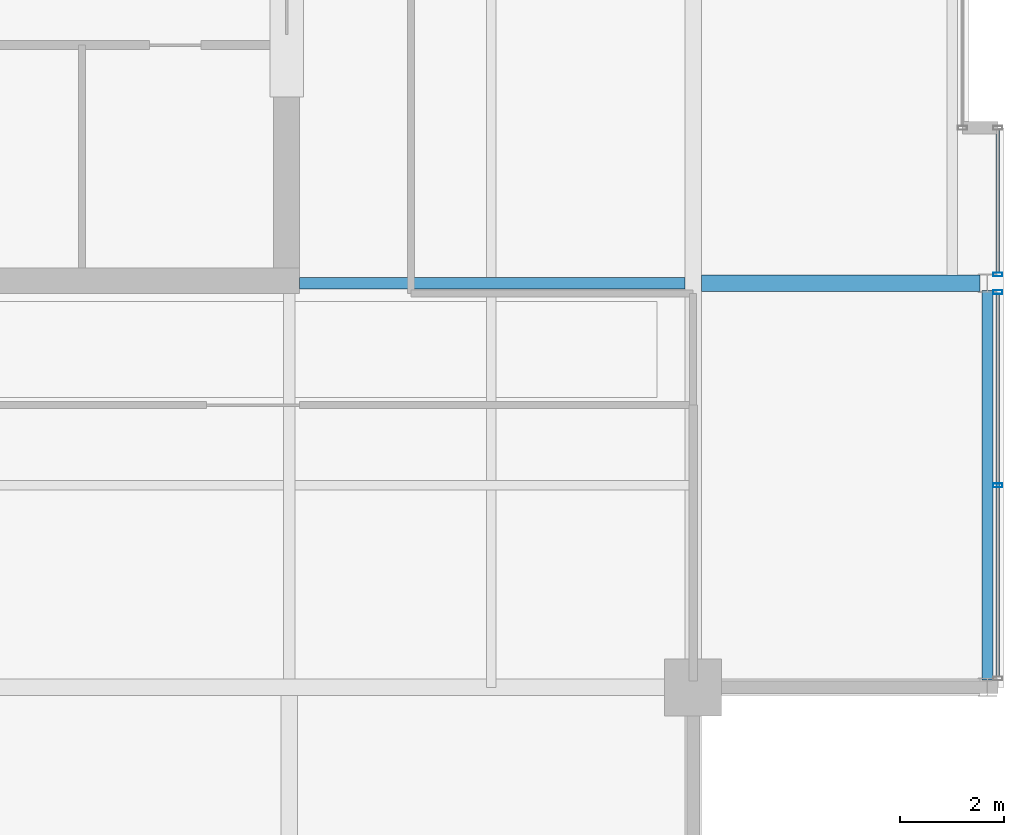
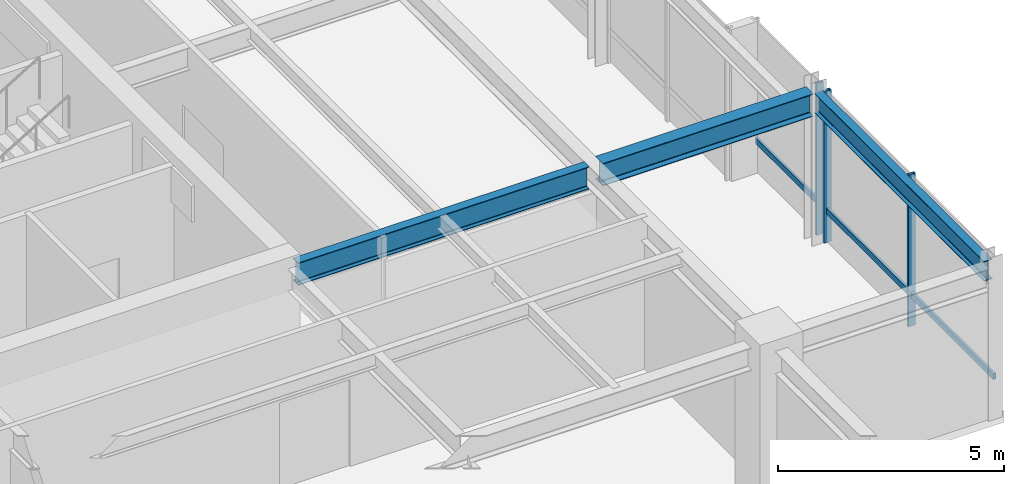
# One storey, part 17 of 34: 5 members, 3 beams, 2 elements without a shape of their own.
"""IFC4 building model written with IfcOpenShell, lengths in metres."""

from ifc_helpers import new_model, si_unit, direction, frame, origin, origin_2d, place, context, subcontext, project, spatial, hollow_rectangle, i_section, extrude, material, layer, layer_set, material_profile, profile_set, type_object, element, aggregate, save


model = new_model("IFC4")

# Units and contexts
model_context = context("Model", 3, precision=1e-05, world=origin(), true_north=direction((0.0, 1.0)))
body_context = subcontext(model_context, "Body", "Model", "MODEL_VIEW")
ifc_project = project(units=[si_unit("LENGTHUNIT", "METRE"), si_unit("AREAUNIT", "SQUARE_METRE"), si_unit("VOLUMEUNIT", "CUBIC_METRE"), si_unit("PLANEANGLEUNIT", "RADIAN"), si_unit("MASSUNIT", "GRAM", prefix="KILO")], contexts=[model_context])

# Site, building, storey
site_placement = place(None, origin())
site = spatial("IfcSite", under=ifc_project, at=site_placement, CompositionType="ELEMENT")
building_placement = place(site_placement, origin())
building = spatial("IfcBuilding", under=site, at=building_placement, Name="Drelvath Grand Hotel", CompositionType="ELEMENT")
storey_placement = place(building_placement, frame((0.0, 0.0, 294.199951171875)))
storey = spatial("IfcBuildingStorey", under=building, at=storey_placement, Name="L77", CompositionType="ELEMENT", Elevation=294.199951171875)

# Curtain wall, member
ifc_material_1 = material(Name="Platinum-Mist Anodised Aluminium Frame", Category="aluminium")
ifc_layer = layer(ifc_material_1, 0.199951171875)
ifc_layer_set = layer_set([ifc_layer], Name="Platinum-Mist Anodised Aluminium Frame")
curtain_wall_type = type_object("IfcCurtainWallType", Name="Stick Curtain Wall CW-05 Platinum Mist High-Rise", PredefinedType="NOTDEFINED", material=ifc_layer_set)
curtain_wall_1_placement = place(storey_placement, origin())
curtain_wall_1 = element("IfcCurtainWall", 1, at=curtain_wall_1_placement, inside=storey, type_object=curtain_wall_type, Name="L77 CW-05 Curtain Wall CW05-L77-ES1", PredefinedType="NOTDEFINED")
ifc_material_profile_1 = material_profile(ifc_material_1, hollow_rectangle(XDim=0.06494140625, YDim=0.159912109375, WallThickness=0.00390625, at=origin_2d()), Name="HSS160X65X4")
ifc_profile_set_1 = profile_set([ifc_material_profile_1], Name="Platinum-Mist Anodised Aluminium Frame")
member_type_1 = type_object("IfcMemberType", Name="Curtain Wall Horizontal Transom CW-05 HSS160X65X4", PredefinedType="USERDEFINED", material=ifc_profile_set_1)
member_1_placement = place(storey_placement, frame((22.080078125, 18.389892578125, 0.85009765625), z_axis=(0.0, -1.0, 0.0), x_axis=(1.0, 0.0, 0.0)))
member_1 = element("IfcMember", 2, at=member_1_placement, type_object=member_type_1, Name="CW05-L77-ES1 Sill Transom", ObjectType="TRANSOM", PredefinedType="USERDEFINED", context=body_context, shape_type="SweptSolid", body=[
    extrude(hollow_rectangle(XDim=0.06494140625, YDim=0.159912109375, WallThickness=0.00390625, at=origin_2d()), origin(), (0.0, 0.0, 1.0), 7.3798828125),
])

curtain_wall_2_placement = place(storey_placement, origin())
curtain_wall_2 = element("IfcCurtainWall", 3, at=curtain_wall_2_placement, inside=storey, type_object=curtain_wall_type, Name="L77 CW-05 Curtain Wall CW05-L77-ES2", PredefinedType="NOTDEFINED")
member_2_placement = place(storey_placement, frame((22.080078125, 21.56005859375, 0.85009765625), z_axis=(0.0, -1.0, 0.0), x_axis=(1.0, 0.0, 0.0)))
member_2 = element("IfcMember", 4, at=member_2_placement, type_object=member_type_1, Name="CW05-L77-ES2 Sill Transom", ObjectType="TRANSOM", PredefinedType="USERDEFINED", context=body_context, shape_type="SweptSolid", body=[
    extrude(hollow_rectangle(XDim=0.06494140625, YDim=0.159912109375, WallThickness=0.00390625, at=origin_2d()), origin(), (0.0, 0.0, 1.0), 2.75),
])

# Member
ifc_material_profile_2 = material_profile(ifc_material_1, hollow_rectangle(XDim=0.074951171875, YDim=0.179931640625, WallThickness=0.0048828125, at=origin_2d()), Name="HSS180X75X5")
ifc_profile_set_2 = profile_set([ifc_material_profile_2], Name="Platinum-Mist Anodised Aluminium Frame")
member_type_2 = type_object("IfcMemberType", Name="Curtain Wall Vertical Mullion CW-05 HSS180X75X5", PredefinedType="MULLION", material=ifc_profile_set_2)
member_3_placement = place(storey_placement, frame((22.080078125, 18.429931640625, 0.0), z_axis=(0.0, 0.0, 1.0), x_axis=(0.0, 1.0, 0.0)))
member_3 = element("IfcMember", 5, at=member_3_placement, type_object=member_type_2, Name="CW05-L77-ES1 Mullion 1", PredefinedType="MULLION", context=body_context, shape_type="SweptSolid", body=[
    extrude(hollow_rectangle(XDim=0.074951171875, YDim=0.179931640625, WallThickness=0.0048828125, at=origin_2d()), origin(), (0.0, 0.0, 1.0), 4.10009765625),
])

member_4_placement = place(storey_placement, frame((22.080078125, 14.7001953125, 0.0), z_axis=(0.0, 0.0, 1.0), x_axis=(0.0, 1.0, 0.0)))
member_4 = element("IfcMember", 6, at=member_4_placement, type_object=member_type_2, Name="CW05-L77-ES1 Mullion 2", PredefinedType="MULLION", context=body_context, shape_type="SweptSolid", body=[
    extrude(hollow_rectangle(XDim=0.074951171875, YDim=0.179931640625, WallThickness=0.0048828125, at=origin_2d()), origin(), (0.0, 0.0, 1.0), 4.10009765625),
])

aggregate(curtain_wall_1, [member_3, member_4, member_1])

member_5_placement = place(storey_placement, frame((22.080078125, 18.77001953125, 0.0), z_axis=(0.0, 0.0, 1.0), x_axis=(0.0, 1.0, 0.0)))
member_5 = element("IfcMember", 7, at=member_5_placement, type_object=member_type_2, Name="CW05-L77-ES2 Mullion 2", PredefinedType="MULLION", context=body_context, shape_type="SweptSolid", body=[
    extrude(hollow_rectangle(XDim=0.074951171875, YDim=0.179931640625, WallThickness=0.0048828125, at=origin_2d()), origin(), (0.0, 0.0, 1.0), 4.10009765625),
])

aggregate(curtain_wall_2, [member_5, member_2])

# Beams
ifc_material_2 = material(Name="Steel ASTM A992 Gr 50", Category="steel")
ifc_material_profile_3 = material_profile(ifc_material_2, i_section(OverallWidth=0.210205078125, OverallDepth=0.53662109375, WebThickness=0.010986328125, FlangeThickness=0.017333984375, FilletRadius=0.01806640625, at=origin_2d()), Name="W21X68")
ifc_profile_set_3 = profile_set([ifc_material_profile_3], Name="Steel ASTM A992 Gr 50")
beam_type_1 = type_object("IfcBeamType", Name="Perimeter Spandrel Beam W21X68", PredefinedType="SPANDREL", material=ifc_profile_set_3)
beam_1_placement = place(storey_placement, frame((21.8798828125, 10.93994140625, 3.831787109375), z_axis=(0.0, 1.0, 0.0), x_axis=(-1.0, 0.0, 0.0)))
element("IfcBeam", 8, at=beam_1_placement, inside=storey, type_object=beam_type_1, Name="L77 Spandrel East S", PredefinedType="SPANDREL", context=body_context, shape_type="SweptSolid", body=[
    extrude(i_section(OverallWidth=0.210205078125, OverallDepth=0.53662109375, WebThickness=0.010986328125, FlangeThickness=0.017333984375, FilletRadius=0.01806640625, at=origin_2d()), origin(), (0.0, 0.0, 1.0), 7.52001953125),
])
ifc_material_profile_4 = material_profile(ifc_material_2, i_section(OverallWidth=0.323974609375, OverallDepth=0.611083984375, WebThickness=0.0126953125, FlangeThickness=0.01904296875, FilletRadius=0.02197265625, at=origin_2d()), Name="W24X104")
ifc_profile_set_4 = profile_set([ifc_material_profile_4], Name="Steel ASTM A992 Gr 50")
beam_type_2 = type_object("IfcBeamType", Name="Primary Floor Girder W24X104", PredefinedType="BEAM", material=ifc_profile_set_4)
beam_2_placement = place(storey_placement, frame((16.362060546875, 18.60009765625, 3.79443359375), z_axis=(1.0, 0.0, 0.0), x_axis=(0.0, 1.0, 0.0)))
element("IfcBeam", 9, at=beam_2_placement, inside=storey, type_object=beam_type_2, Name="L77 East Wing Girder D", PredefinedType="BEAM", context=body_context, shape_type="SweptSolid", body=[
    extrude(i_section(OverallWidth=0.323974609375, OverallDepth=0.611083984375, WebThickness=0.0126953125, FlangeThickness=0.01904296875, FilletRadius=0.02197265625, at=origin_2d()), origin(), (0.0, 0.0, 1.0), 5.3779296875),
])
ifc_material_profile_5 = material_profile(ifc_material_2, i_section(OverallWidth=0.228271484375, OverallDepth=0.607666015625, WebThickness=0.01123046875, FlangeThickness=0.017333984375, FilletRadius=0.02001953125, at=origin_2d()), Name="W24X76")
ifc_profile_set_5 = profile_set([ifc_material_profile_5], Name="Steel ASTM A992 Gr 50")
beam_type_3 = type_object("IfcBeamType", Name="Primary Floor Girder W24X76", PredefinedType="BEAM", material=ifc_profile_set_5)
beam_3_placement = place(storey_placement, frame((8.60009765625, 18.60009765625, 3.796142578125), z_axis=(1.0, 0.0, 0.0), x_axis=(0.0, 1.0, 0.0)))
element("IfcBeam", 10, at=beam_3_placement, inside=storey, type_object=beam_type_3, Name="L77 East Core Tie D", PredefinedType="BEAM", context=body_context, shape_type="SweptSolid", body=[
    extrude(i_section(OverallWidth=0.228271484375, OverallDepth=0.607666015625, WebThickness=0.01123046875, FlangeThickness=0.017333984375, FilletRadius=0.02001953125, at=origin_2d()), origin(), (0.0, 0.0, 1.0), 7.43798828125),
])

save(model, "model.ifc")
